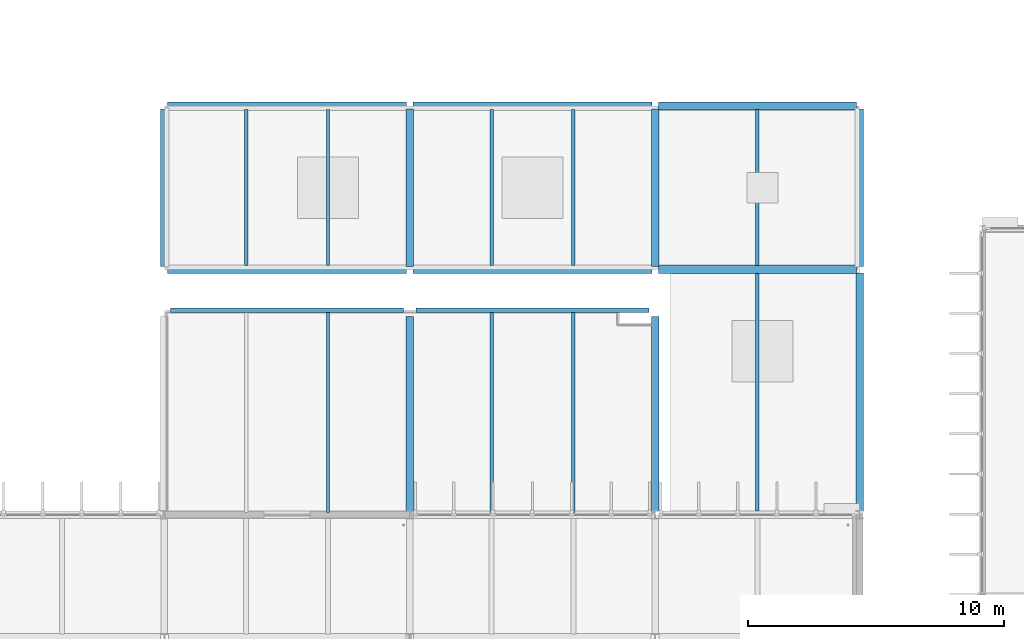
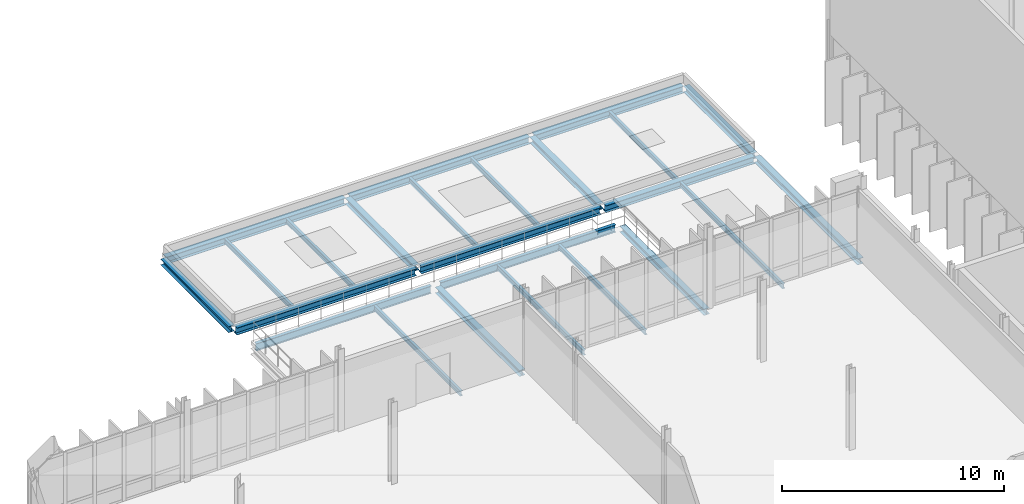
# One storey, part 39 of 110: 24 beams.
"""IFC4 building model written with IfcOpenShell, lengths in metres."""

from ifc_helpers import new_model, si_unit, direction, frame, origin, origin_2d, place, context, subcontext, project, spatial, i_section, extrude, material, material_profile, profile_set, type_object, element, save


model = new_model("IFC4")

# Units and contexts
model_context = context("Model", 3, precision=1e-05, world=origin(), true_north=direction((0.0, 1.0)))
body_context = subcontext(model_context, "Body", "Model", "MODEL_VIEW")
ifc_project = project(units=[si_unit("LENGTHUNIT", "METRE"), si_unit("AREAUNIT", "SQUARE_METRE"), si_unit("VOLUMEUNIT", "CUBIC_METRE"), si_unit("PLANEANGLEUNIT", "RADIAN"), si_unit("MASSUNIT", "GRAM", prefix="KILO")], contexts=[model_context])

# Site, building, storey
site_placement = place(None, origin())
site = spatial("IfcSite", under=ifc_project, at=site_placement, CompositionType="ELEMENT")
building_placement = place(site_placement, origin())
building = spatial("IfcBuilding", under=site, at=building_placement, Name="Dunescarp Central Library", CompositionType="ELEMENT")
storey_placement = place(building_placement, frame((0.0, 0.0, 9.60009765625)))
storey = spatial("IfcBuildingStorey", under=building, at=storey_placement, Name="L02", CompositionType="ELEMENT", Elevation=9.60009765625)

# Beams
ifc_material = material(Name="Steel S355JR", Category="steel")
ifc_material_profile_1 = material_profile(ifc_material, i_section(OverallWidth=0.300048828125, OverallDepth=0.330078125, WebThickness=0.009521484375, FlangeThickness=0.0166015625, at=origin_2d()), Name="HEA 340")
ifc_profile_set_1 = profile_set([ifc_material_profile_1], Name="Steel S355JR")
beam_type_1 = type_object("IfcBeamType", Name="STR-BM-HEA340", PredefinedType="BEAM", material=ifc_profile_set_1)
for number, where, z_axis, x_axis, name in (
    (1, (107.199951171875, 33.757080078125, -0.35498046875), (0.0, 1.0, 0.0), (-1.0, 0.0, 0.0), "L02 girder BM-L02-1476"),
    (2, (116.800048828125, 33.757080078125, -0.35498046875), (0.0, 1.0, 0.0), (-1.0, 0.0, 0.0), "L02 girder BM-L02-1480"),
):
    element("IfcBeam", number, at=place(storey_placement, frame(where, z_axis=z_axis, x_axis=x_axis)), inside=storey, type_object=beam_type_1, Name=name, PredefinedType="BEAM", context=body_context, shape_type="SweptSolid", body=[
        extrude(i_section(OverallWidth=0.300048828125, OverallDepth=0.330078125, WebThickness=0.009521484375, FlangeThickness=0.0166015625, at=origin_2d()), origin(), (0.0, 0.0, 1.0), 7.595947265625),
    ])
for number, where, z_axis, x_axis, name in (
    (3, (97.60009765625, 43.326904296875, -0.375), (0.0, 1.0, 0.0), (-1.0, 0.0, 0.0), "L02 girder BM-L02-20020"),
    (4, (107.199951171875, 43.326904296875, -0.375), (0.0, 1.0, 0.0), (-1.0, 0.0, 0.0), "L02 girder BM-L02-20021"),
    (5, (116.800048828125, 43.326904296875, -0.375), (0.0, 1.0, 0.0), (-1.0, 0.0, 0.0), "L02 girder BM-L02-20026"),
):
    element("IfcBeam", number, at=place(storey_placement, frame(where, z_axis=z_axis, x_axis=x_axis)), inside=storey, type_object=beam_type_1, Name=name, PredefinedType="BEAM", context=body_context, shape_type="SweptSolid", body=[
        extrude(i_section(OverallWidth=0.300048828125, OverallDepth=0.330078125, WebThickness=0.009521484375, FlangeThickness=0.0166015625, at=origin_2d()), origin(), (0.0, 0.0, 1.0), 6.14599609375),
    ])
beam_1_placement = place(storey_placement, frame((124.800048828125, 33.757080078125, -0.375), z_axis=(0.0, 1.0, 0.0), x_axis=(-1.0, 0.0, 0.0)))
element("IfcBeam", 6, at=beam_1_placement, inside=storey, type_object=beam_type_1, Name="L02 girder BM-L02-20030", PredefinedType="BEAM", context=body_context, shape_type="SweptSolid", body=[
    extrude(i_section(OverallWidth=0.300048828125, OverallDepth=0.330078125, WebThickness=0.009521484375, FlangeThickness=0.0166015625, at=origin_2d()), origin(), (0.0, 0.0, 1.0), 9.31591796875),
])
beam_2_placement = place(storey_placement, frame((124.800048828125, 43.326904296875, -0.375), z_axis=(0.0, 1.0, 0.0), x_axis=(-1.0, 0.0, 0.0)))
element("IfcBeam", 7, at=beam_2_placement, inside=storey, type_object=beam_type_1, Name="L02 girder BM-L02-20033", PredefinedType="BEAM", context=body_context, shape_type="SweptSolid", body=[
    extrude(i_section(OverallWidth=0.300048828125, OverallDepth=0.330078125, WebThickness=0.009521484375, FlangeThickness=0.0166015625, at=origin_2d()), origin(), (0.0, 0.0, 1.0), 6.14599609375),
])
ifc_material_profile_2 = material_profile(ifc_material, i_section(OverallWidth=0.300048828125, OverallDepth=0.389892578125, WebThickness=0.010986328125, FlangeThickness=0.01904296875, at=origin_2d()), Name="HEA 400")
ifc_profile_set_2 = profile_set([ifc_material_profile_2], Name="Steel S355JR")
beam_type_2 = type_object("IfcBeamType", Name="STR-BM-HEA400", PredefinedType="BEAM", material=ifc_profile_set_2)
for number, where, z_axis, x_axis, name in (
    (8, (97.72509765625, 43.199951171875, -0.405029296875), (1.0, 0.0, 0.0), (0.0, 1.0, 0.0), "L02 girder BM-L02-20018"),
    (9, (97.72509765625, 49.60009765625, -0.405029296875), (1.0, 0.0, 0.0), (0.0, 1.0, 0.0), "L02 girder BM-L02-20019"),
):
    element("IfcBeam", number, at=place(storey_placement, frame(where, z_axis=z_axis, x_axis=x_axis)), inside=storey, type_object=beam_type_2, Name=name, PredefinedType="BEAM", context=body_context, shape_type="SweptSolid", body=[
        extrude(i_section(OverallWidth=0.300048828125, OverallDepth=0.389892578125, WebThickness=0.010986328125, FlangeThickness=0.01904296875, at=origin_2d()), origin(), (0.0, 0.0, 1.0), 9.349853515625),
    ])
for number, where, z_axis, x_axis, name in (
    (10, (107.324951171875, 43.199951171875, -0.405029296875), (1.0, 0.0, 0.0), (0.0, 1.0, 0.0), "L02 girder BM-L02-20024"),
    (11, (107.324951171875, 49.60009765625, -0.405029296875), (1.0, 0.0, 0.0), (0.0, 1.0, 0.0), "L02 girder BM-L02-20025"),
):
    element("IfcBeam", number, at=place(storey_placement, frame(where, z_axis=z_axis, x_axis=x_axis)), inside=storey, type_object=beam_type_2, Name=name, PredefinedType="BEAM", context=body_context, shape_type="SweptSolid", body=[
        extrude(i_section(OverallWidth=0.300048828125, OverallDepth=0.389892578125, WebThickness=0.010986328125, FlangeThickness=0.01904296875, at=origin_2d()), origin(), (0.0, 0.0, 1.0), 9.35009765625),
    ])
for number, where, z_axis, x_axis, name in (
    (12, (116.925048828125, 43.199951171875, -0.405029296875), (1.0, 0.0, 0.0), (0.0, 1.0, 0.0), "L02 girder BM-L02-20029"),
    (13, (116.925048828125, 49.60009765625, -0.405029296875), (1.0, 0.0, 0.0), (0.0, 1.0, 0.0), "L02 girder BM-L02-20032"),
):
    element("IfcBeam", number, at=place(storey_placement, frame(where, z_axis=z_axis, x_axis=x_axis)), inside=storey, type_object=beam_type_2, Name=name, PredefinedType="BEAM", context=body_context, shape_type="SweptSolid", body=[
        extrude(i_section(OverallWidth=0.300048828125, OverallDepth=0.389892578125, WebThickness=0.010986328125, FlangeThickness=0.01904296875, at=origin_2d()), origin(), (0.0, 0.0, 1.0), 7.75),
    ])
ifc_material_profile_3 = material_profile(ifc_material, i_section(OverallWidth=0.135009765625, OverallDepth=0.27001953125, WebThickness=0.006591796875, FlangeThickness=0.01025390625, at=origin_2d()), Name="IPE 270")
ifc_profile_set_3 = profile_set([ifc_material_profile_3], Name="Steel S355JR")
beam_type_3 = type_object("IfcBeamType", Name="STR-JS-IPE270", PredefinedType="JOIST", material=ifc_profile_set_3)
for number, where, z_axis, x_axis, name in (
    (14, (104.0, 33.68701171875, -0.3251953125), (0.0, 1.0, 0.0), (-1.0, 0.0, 0.0), "L02 joist JS-L02-1478"),
    (15, (110.39990234375, 33.68701171875, -0.3251953125), (0.0, 1.0, 0.0), (-1.0, 0.0, 0.0), "L02 joist JS-L02-1481"),
    (16, (113.60009765625, 33.68701171875, -0.3251953125), (0.0, 1.0, 0.0), (-1.0, 0.0, 0.0), "L02 joist JS-L02-1482"),
):
    element("IfcBeam", number, at=place(storey_placement, frame(where, z_axis=z_axis, x_axis=x_axis)), inside=storey, type_object=beam_type_3, Name=name, PredefinedType="JOIST", context=body_context, shape_type="SweptSolid", body=[
        extrude(i_section(OverallWidth=0.135009765625, OverallDepth=0.27001953125, WebThickness=0.006591796875, FlangeThickness=0.01025390625, at=origin_2d()), origin(), (0.0, 0.0, 1.0), 7.825927734375),
    ])
for number, where, z_axis, x_axis, name in (
    (17, (100.800048828125, 43.347900390625, -0.34521484375), (0.0, 1.0, 0.0), (-1.0, 0.0, 0.0), "L02 joist JS-L02-20022"),
    (18, (104.0, 43.347900390625, -0.34521484375), (0.0, 1.0, 0.0), (-1.0, 0.0, 0.0), "L02 joist JS-L02-20023"),
    (19, (110.39990234375, 43.347900390625, -0.34521484375), (0.0, 1.0, 0.0), (-1.0, 0.0, 0.0), "L02 joist JS-L02-20027"),
    (20, (113.60009765625, 43.347900390625, -0.34521484375), (0.0, 1.0, 0.0), (-1.0, 0.0, 0.0), "L02 joist JS-L02-20028"),
):
    element("IfcBeam", number, at=place(storey_placement, frame(where, z_axis=z_axis, x_axis=x_axis)), inside=storey, type_object=beam_type_3, Name=name, PredefinedType="JOIST", context=body_context, shape_type="SweptSolid", body=[
        extrude(i_section(OverallWidth=0.135009765625, OverallDepth=0.27001953125, WebThickness=0.006591796875, FlangeThickness=0.01025390625, at=origin_2d()), origin(), (0.0, 0.0, 1.0), 6.10400390625),
    ])
beam_3_placement = place(storey_placement, frame((120.800048828125, 33.748046875, -0.34521484375), z_axis=(0.0, 1.0, 0.0), x_axis=(-1.0, 0.0, 0.0)))
element("IfcBeam", 21, at=beam_3_placement, inside=storey, type_object=beam_type_3, Name="L02 joist JS-L02-20031", PredefinedType="JOIST", context=body_context, shape_type="SweptSolid", body=[
    extrude(i_section(OverallWidth=0.135009765625, OverallDepth=0.27001953125, WebThickness=0.006591796875, FlangeThickness=0.01025390625, at=origin_2d()), origin(), (0.0, 0.0, 1.0), 9.303955078125),
])
beam_4_placement = place(storey_placement, frame((120.800048828125, 43.347900390625, -0.34521484375), z_axis=(0.0, 1.0, 0.0), x_axis=(-1.0, 0.0, 0.0)))
element("IfcBeam", 22, at=beam_4_placement, inside=storey, type_object=beam_type_3, Name="L02 joist JS-L02-20034", PredefinedType="JOIST", context=body_context, shape_type="SweptSolid", body=[
    extrude(i_section(OverallWidth=0.135009765625, OverallDepth=0.27001953125, WebThickness=0.006591796875, FlangeThickness=0.01025390625, at=origin_2d()), origin(), (0.0, 0.0, 1.0), 6.10400390625),
])
ifc_material_profile_4 = material_profile(ifc_material, i_section(OverallWidth=0.177978515625, OverallDepth=0.406494140625, WebThickness=0.0078125, FlangeThickness=0.0126953125, at=origin_2d()), Name="UB 406x178x60")
ifc_profile_set_4 = profile_set([ifc_material_profile_4], Name="Steel S355JR")
beam_type_4 = type_object("IfcBeamType", Name="STR-SP-UB406", PredefinedType="SPANDREL", material=ifc_profile_set_4)
for number, where, z_axis, x_axis, name in (
    (23, (97.846923828125, 41.60009765625, -0.39306640625), (1.0, 0.0, 0.0), (0.0, 1.0, 0.0), "L02 girder BM-L02-1474"),
    (24, (107.447021484375, 41.60009765625, -0.39306640625), (1.0, 0.0, 0.0), (0.0, 1.0, 0.0), "L02 girder BM-L02-1479"),
):
    element("IfcBeam", number, at=place(storey_placement, frame(where, z_axis=z_axis, x_axis=x_axis)), inside=storey, type_object=beam_type_4, Name=name, PredefinedType="SPANDREL", context=body_context, shape_type="SweptSolid", body=[
        extrude(i_section(OverallWidth=0.177978515625, OverallDepth=0.406494140625, WebThickness=0.0078125, FlangeThickness=0.0126953125, at=origin_2d()), origin(), (0.0, 0.0, 1.0), 9.10595703125),
    ])

save(model, "model.ifc")
